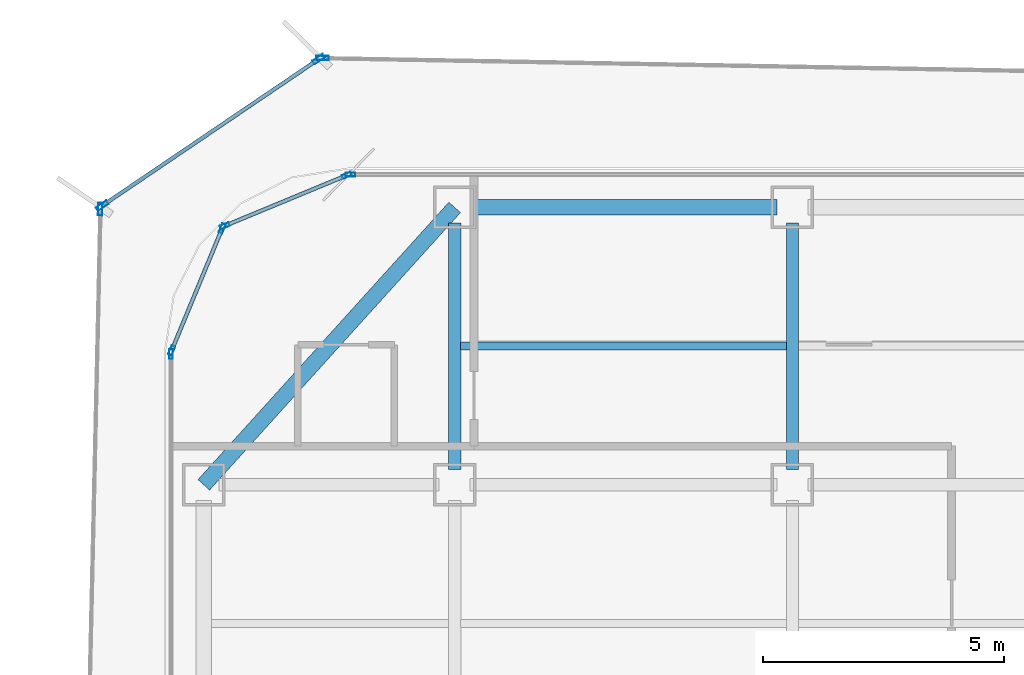
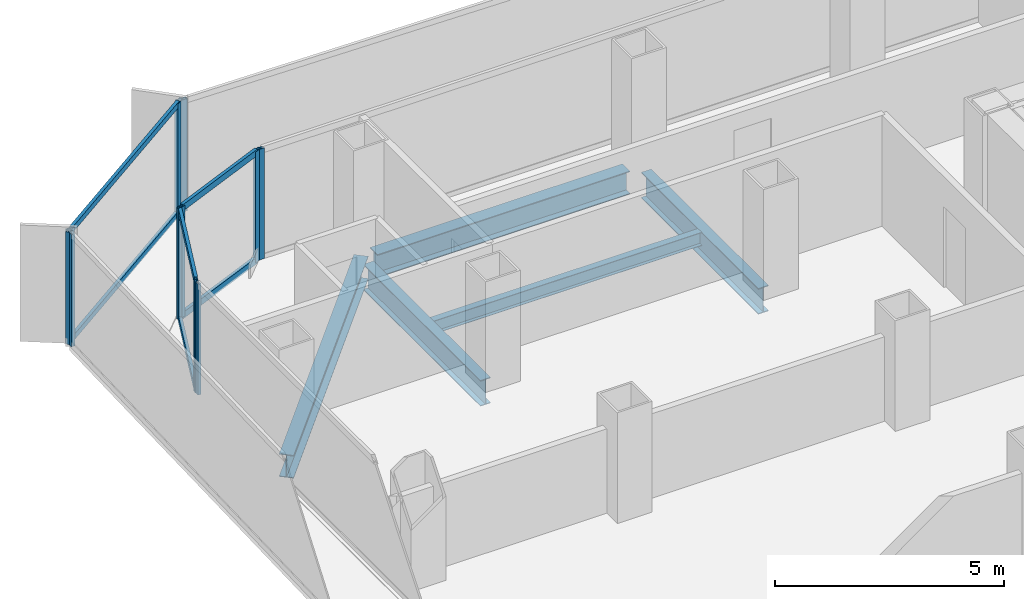
# One storey, part 10 of 21: 16 members, 5 beams, 7 elements without a shape of their own.
"""IFC4 building model written with IfcOpenShell, lengths in metres."""

from ifc_helpers import new_model, si_unit, direction, frame, origin, origin_2d, place, context, subcontext, project, spatial, hollow_rectangle, i_section, extrude, source, transform, mapped, material, layer, layer_set, material_profile, profile_set, type_object, element, aggregate, save


model = new_model("IFC4")

# Units and contexts
model_context = context("Model", 3, precision=1e-05, world=origin(), true_north=direction((0.0, 1.0)))
body_context = subcontext(model_context, "Body", "Model", "MODEL_VIEW")
ifc_project = project(units=[si_unit("LENGTHUNIT", "METRE"), si_unit("AREAUNIT", "SQUARE_METRE"), si_unit("VOLUMEUNIT", "CUBIC_METRE"), si_unit("PLANEANGLEUNIT", "RADIAN"), si_unit("MASSUNIT", "GRAM", prefix="KILO")], contexts=[model_context])

# Site, building, storey
site_placement = place(None, origin())
site = spatial("IfcSite", under=ifc_project, at=site_placement, CompositionType="ELEMENT")
building_placement = place(site_placement, origin())
building = spatial("IfcBuilding", under=site, at=building_placement, Name="Kolveth Station Tower", CompositionType="ELEMENT")
storey_placement = place(building_placement, frame((0.0, 0.0, 105.5)))
storey = spatial("IfcBuildingStorey", under=building, at=storey_placement, Name="L28", CompositionType="ELEMENT", Elevation=105.5)

# Beams
ifc_material_1 = material(Name="Steel S355", Category="steel")
ifc_material_profile_1 = material_profile(ifc_material_1, i_section(OverallWidth=0.323974609375, OverallDepth=0.611083984375, WebThickness=0.0126953125, FlangeThickness=0.01904296875, at=origin_2d()), Name="W610x155")
ifc_profile_set_1 = profile_set([ifc_material_profile_1], Name="Steel S355")
beam_type_1 = type_object("IfcBeamType", Name="Beam_SP2", PredefinedType="SPANDREL", material=ifc_profile_set_1)
shared_shape_1 = source(origin(), body_context, "Body", "SweptSolid", [
    extrude(i_section(OverallWidth=0.323974609375, OverallDepth=0.611083984375, WebThickness=0.0126953125, FlangeThickness=0.01904296875, at=origin_2d()), origin(), (0.0, 0.0, 1.0), 6.35986328125),
])
beam_1_placement = place(storey_placement, frame((6.320068359375, 34.5, -0.555419921875), z_axis=(1.0, 0.0, 0.0), x_axis=(0.0, 1.0, 0.0)))
element("IfcBeam", 1, at=beam_1_placement, inside=storey, type_object=beam_type_1, Name="L28 Perimeter Spandrel BM-L28-PN-1", PredefinedType="SPANDREL", context=body_context, shape_type="MappedRepresentation", body=[
    mapped(shared_shape_1, transform((0.0, 0.0, 0.0), x_axis=(1.0, 0.0, 0.0), y_axis=(0.0, 1.0, 0.0), z_axis=(0.0, 0.0, 1.0), scale=1.0)),
])
shared_shape_2 = source(origin(), body_context, "Body", "SweptSolid", [
    extrude(i_section(OverallWidth=0.323974609375, OverallDepth=0.611083984375, WebThickness=0.0126953125, FlangeThickness=0.01904296875, at=origin_2d()), origin(), (0.0, 0.0, 1.0), 7.75244140625),
])
beam_2_placement = place(storey_placement, frame((6.0, 34.5, -0.555419921875), z_axis=(-0.670740965555, -0.74169168603, 0.0), x_axis=(0.74169168603, -0.670740965555, 0.0)))
element("IfcBeam", 2, at=beam_2_placement, inside=storey, type_object=beam_type_1, Name="L28 Corner Edge Girder BM-L28-CNR-NW", PredefinedType="SPANDREL", context=body_context, shape_type="MappedRepresentation", body=[
    mapped(shared_shape_2, transform((0.0, 0.0, 0.0), x_axis=(1.0, 0.0, 0.0), y_axis=(0.0, 1.0, 0.0), z_axis=(0.0, 0.0, 1.0), scale=1.0)),
])
ifc_material_profile_2 = material_profile(ifc_material_1, i_section(OverallWidth=0.25390625, OverallDepth=0.68798828125, WebThickness=0.01318359375, FlangeThickness=0.02099609375, at=origin_2d()), Name="W690x152")
ifc_profile_set_2 = profile_set([ifc_material_profile_2], Name="Steel S355")
beam_type_2 = type_object("IfcBeamType", Name="Beam_B4", PredefinedType="BEAM", material=ifc_profile_set_2)
shared_shape_3 = source(origin(), body_context, "Body", "SweptSolid", [
    extrude(i_section(OverallWidth=0.25390625, OverallDepth=0.68798828125, WebThickness=0.01318359375, FlangeThickness=0.02099609375, at=origin_2d()), origin(), (0.0, 0.0, 1.0), 5.10986328125),
])
for number, where, z_axis, x_axis, name in (
    (3, (6.0, 29.070068359375, -0.593994140625), (0.0, 1.0, 0.0), (-1.0, 0.0, 0.0), "L28 Primary Girder BM-L28-GX60-6"),
    (4, (13.0, 29.070068359375, -0.593994140625), (0.0, 1.0, 0.0), (-1.0, 0.0, 0.0), "L28 Primary Girder BM-L28-GX130-6"),
):
    element("IfcBeam", number, at=place(storey_placement, frame(where, z_axis=z_axis, x_axis=x_axis)), inside=storey, type_object=beam_type_2, Name=name, PredefinedType="BEAM", context=body_context, shape_type="MappedRepresentation", body=[
        mapped(shared_shape_3, transform((0.0, 0.0, 0.0), x_axis=(1.0, 0.0, 0.0), y_axis=(0.0, 1.0, 0.0), z_axis=(0.0, 0.0, 1.0), scale=1.0)),
    ])
ifc_material_profile_3 = material_profile(ifc_material_1, i_section(OverallWidth=0.1708984375, OverallDepth=0.35205078125, WebThickness=0.0068359375, FlangeThickness=0.009765625, at=origin_2d()), Name="W360x44")
ifc_profile_set_3 = profile_set([ifc_material_profile_3], Name="Steel S355")
beam_type_3 = type_object("IfcBeamType", Name="Beam_J2", PredefinedType="JOIST", material=ifc_profile_set_3)
shared_shape_4 = source(origin(), body_context, "Body", "SweptSolid", [
    extrude(i_section(OverallWidth=0.1708984375, OverallDepth=0.35205078125, WebThickness=0.0068359375, FlangeThickness=0.009765625, at=origin_2d()), origin(), (0.0, 0.0, 1.0), 6.75),
])
beam_3_placement = place(storey_placement, frame((6.125, 31.625, -0.426025390625), z_axis=(1.0, 0.0, 0.0), x_axis=(0.0, 1.0, 0.0)))
element("IfcBeam", 5, at=beam_3_placement, inside=storey, type_object=beam_type_3, Name="L28 Secondary Joist JST-L28-2-6", PredefinedType="JOIST", context=body_context, shape_type="MappedRepresentation", body=[
    mapped(shared_shape_4, transform((0.0, 0.0, 0.0), x_axis=(1.0, 0.0, 0.0), y_axis=(0.0, 1.0, 0.0), z_axis=(0.0, 0.0, 1.0), scale=1.0)),
])

# Curtain wall, member
ifc_material_2 = material(Name="Aluminium 6063-T6 and low-E dark glass", Category="aluminium")
ifc_layer_1 = layer(ifc_material_2, 0.18994140625)
ifc_layer_set_1 = layer_set([ifc_layer_1], Name="Aluminium 6063-T6 and low-E dark glass")
curtain_wall_type_1 = type_object("IfcCurtainWallType", Name="CurtainWall_CW-Z2", PredefinedType="NOTDEFINED", material=ifc_layer_set_1)
curtain_wall_1_placement = place(storey_placement, origin())
curtain_wall_1 = element("IfcCurtainWall", 6, at=curtain_wall_1_placement, inside=storey, type_object=curtain_wall_type_1, Name="L28 Inner Thermal Curtain Wall 6", PredefinedType="NOTDEFINED")
ifc_material_3 = material(Name="Black anodized aluminium 6063-T6", Category="aluminium")
ifc_material_profile_4 = material_profile(ifc_material_3, hollow_rectangle(XDim=0.080078125, YDim=0.199951171875, WallThickness=0.0048828125, at=origin_2d()), Name="ALU-80x200x5")
ifc_profile_set_4 = profile_set([ifc_material_profile_4], Name="Black anodized aluminium 6063-T6")
member_type_1 = type_object("IfcMemberType", Name="Mullion_ML2", PredefinedType="MULLION", material=ifc_profile_set_4)
shared_shape_5 = source(origin(), body_context, "Body", "SweptSolid", [
    extrude(hollow_rectangle(XDim=0.080078125, YDim=0.199951171875, WallThickness=0.0048828125, at=origin_2d()), origin(), (0.0, 0.0, 1.0), 2.949951171875),
])
member_1_placement = place(storey_placement, frame((3.840087890625, 35.179931640625, 0.0), z_axis=(0.0, 0.0, 1.0), x_axis=(0.0, -1.0, 0.0)))
member_1 = element("IfcMember", 7, at=member_1_placement, type_object=member_type_1, Name="CW-Z2 mullion 3", PredefinedType="MULLION", context=body_context, shape_type="MappedRepresentation", body=[
    mapped(shared_shape_5, transform((0.0, 0.0, 0.0), x_axis=(1.0, 0.0, 0.0), y_axis=(0.0, 1.0, 0.0), z_axis=(0.0, 0.0, 1.0), scale=1.0)),
])
aggregate(curtain_wall_1, [member_1])

# Curtain wall, members
curtain_wall_2_placement = place(storey_placement, origin())
curtain_wall_2 = element("IfcCurtainWall", 8, at=curtain_wall_2_placement, inside=storey, type_object=curtain_wall_type_1, Name="L28 Inner Thermal Curtain Wall 7", PredefinedType="NOTDEFINED")
member_2_placement = place(storey_placement, frame((3.762939453125, 35.164794921875, 0.0), z_axis=(0.0, 0.0, 1.0), x_axis=(0.38266326998, -0.923887883787, 0.0)))
member_2 = element("IfcMember", 9, at=member_2_placement, type_object=member_type_1, Name="CW-Z2 mullion 1", PredefinedType="MULLION", context=body_context, shape_type="MappedRepresentation", body=[
    mapped(shared_shape_5, transform((0.0, 0.0, 0.0), x_axis=(1.0, 0.0, 0.0), y_axis=(0.0, 1.0, 0.0), z_axis=(0.0, 0.0, 1.0), scale=1.0)),
])
member_3_placement = place(storey_placement, frame((1.23486328125, 34.117431640625, 0.0), z_axis=(0.0, 0.0, 1.0), x_axis=(0.38266326998, -0.923887883787, 0.0)))
member_3 = element("IfcMember", 10, at=member_3_placement, type_object=member_type_1, Name="CW-Z2 mullion 2", PredefinedType="MULLION", context=body_context, shape_type="MappedRepresentation", body=[
    mapped(shared_shape_5, transform((0.0, 0.0, 0.0), x_axis=(1.0, 0.0, 0.0), y_axis=(0.0, 1.0, 0.0), z_axis=(0.0, 0.0, 1.0), scale=1.0)),
])

curtain_wall_3_placement = place(storey_placement, origin())
curtain_wall_3 = element("IfcCurtainWall", 11, at=curtain_wall_3_placement, inside=storey, type_object=curtain_wall_type_1, Name="L28 Inner Thermal Curtain Wall 8", PredefinedType="NOTDEFINED")
member_4_placement = place(storey_placement, frame((1.182373046875, 34.065185546875, 0.0), z_axis=(0.0, 0.0, 1.0), x_axis=(0.923887883787, -0.38266326998, 0.0)))
member_4 = element("IfcMember", 12, at=member_4_placement, type_object=member_type_1, Name="CW-Z2 mullion 1", PredefinedType="MULLION", context=body_context, shape_type="MappedRepresentation", body=[
    mapped(shared_shape_5, transform((0.0, 0.0, 0.0), x_axis=(1.0, 0.0, 0.0), y_axis=(0.0, 1.0, 0.0), z_axis=(0.0, 0.0, 1.0), scale=1.0)),
])
member_5_placement = place(storey_placement, frame((0.13525390625, 31.536865234375, 0.0), z_axis=(0.0, 0.0, 1.0), x_axis=(0.923887883787, -0.38266326998, 0.0)))
member_5 = element("IfcMember", 13, at=member_5_placement, type_object=member_type_1, Name="CW-Z2 mullion 2", PredefinedType="MULLION", context=body_context, shape_type="MappedRepresentation", body=[
    mapped(shared_shape_5, transform((0.0, 0.0, 0.0), x_axis=(1.0, 0.0, 0.0), y_axis=(0.0, 1.0, 0.0), z_axis=(0.0, 0.0, 1.0), scale=1.0)),
])

# Curtain wall, member
curtain_wall_4_placement = place(storey_placement, origin())
curtain_wall_4 = element("IfcCurtainWall", 14, at=curtain_wall_4_placement, inside=storey, type_object=curtain_wall_type_1, Name="L28 Inner Thermal Curtain Wall 9", PredefinedType="NOTDEFINED")
member_6_placement = place(storey_placement, frame((0.1201171875, 31.4599609375, 0.0), z_axis=(0.0, 0.0, 1.0), x_axis=(1.0, 0.0, 0.0)))
member_6 = element("IfcMember", 15, at=member_6_placement, type_object=member_type_1, Name="CW-Z2 mullion 1", PredefinedType="MULLION", context=body_context, shape_type="MappedRepresentation", body=[
    mapped(shared_shape_5, transform((0.0, 0.0, 0.0), x_axis=(1.0, 0.0, 0.0), y_axis=(0.0, 1.0, 0.0), z_axis=(0.0, 0.0, 1.0), scale=1.0)),
])
aggregate(curtain_wall_4, [member_6])

# Member
ifc_material_profile_5 = material_profile(ifc_material_3, hollow_rectangle(XDim=0.080078125, YDim=0.169921875, WallThickness=0.0048828125, at=origin_2d()), Name="ALU-80x170x5")
ifc_profile_set_5 = profile_set([ifc_material_profile_5], Name="Black anodized aluminium 6063-T6")
member_type_2 = type_object("IfcMemberType", Name="Transom_TR2", PredefinedType="USERDEFINED", material=ifc_profile_set_5)
shared_shape_6 = source(origin(), body_context, "Body", "SweptSolid", [
    extrude(hollow_rectangle(XDim=0.080078125, YDim=0.169921875, WallThickness=0.0048828125, at=origin_2d()), origin(), (0.0, 0.0, 1.0), 2.656494140625),
])
member_7_placement = place(storey_placement, frame((3.72607421875, 35.1494140625, 0.0400390625), z_axis=(-0.923882422403, -0.382676455475, 0.0), x_axis=(0.382676455475, -0.923882422403, 0.0)))
member_7 = element("IfcMember", 16, at=member_7_placement, type_object=member_type_2, Name="CW-Z2 transom 1.1", ObjectType="TRANSOM", PredefinedType="USERDEFINED", context=body_context, shape_type="MappedRepresentation", body=[
    mapped(shared_shape_6, transform((0.0, 0.0, 0.0), x_axis=(1.0, 0.0, 0.0), y_axis=(0.0, 1.0, 0.0), z_axis=(0.0, 0.0, 1.0), scale=1.0)),
])

member_8_placement = place(storey_placement, frame((3.72607421875, 35.1494140625, 2.909912109375), z_axis=(-0.923882422403, -0.382676455475, 0.0), x_axis=(0.382676455475, -0.923882422403, 0.0)))
member_8 = element("IfcMember", 17, at=member_8_placement, type_object=member_type_2, Name="CW-Z2 transom 1.2", ObjectType="TRANSOM", PredefinedType="USERDEFINED", context=body_context, shape_type="MappedRepresentation", body=[
    mapped(shared_shape_6, transform((0.0, 0.0, 0.0), x_axis=(1.0, 0.0, 0.0), y_axis=(0.0, 1.0, 0.0), z_axis=(0.0, 0.0, 1.0), scale=1.0)),
])

aggregate(curtain_wall_2, [member_2, member_3, member_7, member_8])

member_9_placement = place(storey_placement, frame((1.167236328125, 34.0283203125, 0.0400390625), z_axis=(-0.382676455475, -0.923882422403, 0.0), x_axis=(0.923882422403, -0.382676455475, 0.0)))
member_9 = element("IfcMember", 18, at=member_9_placement, type_object=member_type_2, Name="CW-Z2 transom 1.1", ObjectType="TRANSOM", PredefinedType="USERDEFINED", context=body_context, shape_type="MappedRepresentation", body=[
    mapped(shared_shape_6, transform((0.0, 0.0, 0.0), x_axis=(1.0, 0.0, 0.0), y_axis=(0.0, 1.0, 0.0), z_axis=(0.0, 0.0, 1.0), scale=1.0)),
])

member_10_placement = place(storey_placement, frame((1.167236328125, 34.0283203125, 2.909912109375), z_axis=(-0.382676455475, -0.923882422403, 0.0), x_axis=(0.923882422403, -0.382676455475, 0.0)))
member_10 = element("IfcMember", 19, at=member_10_placement, type_object=member_type_2, Name="CW-Z2 transom 1.2", ObjectType="TRANSOM", PredefinedType="USERDEFINED", context=body_context, shape_type="MappedRepresentation", body=[
    mapped(shared_shape_6, transform((0.0, 0.0, 0.0), x_axis=(1.0, 0.0, 0.0), y_axis=(0.0, 1.0, 0.0), z_axis=(0.0, 0.0, 1.0), scale=1.0)),
])

aggregate(curtain_wall_3, [member_4, member_5, member_9, member_10])

# Curtain wall, member
ifc_material_4 = material(Name="Black anodized aluminium 6063-T6 and dark solar glass", Category="aluminium")
ifc_layer_2 = layer(ifc_material_4, 0.159912109375)
ifc_layer_set_2 = layer_set([ifc_layer_2], Name="Black anodized aluminium 6063-T6 and dark solar glass")
curtain_wall_type_2 = type_object("IfcCurtainWallType", Name="OUTER SKIN CW-OS", PredefinedType="NOTDEFINED", material=ifc_layer_set_2)
curtain_wall_5_placement = place(storey_placement, origin())
curtain_wall_5 = element("IfcCurtainWall", 20, at=curtain_wall_5_placement, inside=storey, type_object=curtain_wall_type_2, Name="L28 Outer Ventilated Skin Curtain Wall 4", PredefinedType="NOTDEFINED")
ifc_material_profile_6 = material_profile(ifc_material_3, hollow_rectangle(XDim=0.090087890625, YDim=0.260009765625, WallThickness=0.0048828125, at=origin_2d()), Name="ALU-90x260x5")
ifc_profile_set_6 = profile_set([ifc_material_profile_6], Name="Black anodized aluminium 6063-T6")
member_type_3 = type_object("IfcMemberType", Name="FIN MULLION ML-OS", PredefinedType="MULLION", material=ifc_profile_set_6)
shared_shape_7 = source(origin(), body_context, "Body", "SweptSolid", [
    extrude(hollow_rectangle(XDim=0.090087890625, YDim=0.260009765625, WallThickness=0.0048828125, at=origin_2d()), origin(), (0.0, 0.0, 1.0), 2.989990234375),
])
member_11_placement = place(storey_placement, frame((3.26318359375, 37.597412109375, 0.0), z_axis=(0.0, 0.0, 1.0), x_axis=(-0.017990578845, -0.99983815644, 0.0)))
member_11 = element("IfcMember", 21, at=member_11_placement, type_object=member_type_3, Name="CW-OS mullion 2", PredefinedType="MULLION", context=body_context, shape_type="MappedRepresentation", body=[
    mapped(shared_shape_7, transform((0.0, 0.0, 0.0), x_axis=(1.0, 0.0, 0.0), y_axis=(0.0, 1.0, 0.0), z_axis=(0.0, 0.0, 1.0), scale=1.0)),
])
aggregate(curtain_wall_5, [member_11])

# Curtain wall, members
curtain_wall_6_placement = place(storey_placement, origin())
curtain_wall_6 = element("IfcCurtainWall", 22, at=curtain_wall_6_placement, inside=storey, type_object=curtain_wall_type_2, Name="L28 Outer Ventilated Skin Curtain Wall 5", PredefinedType="NOTDEFINED")
member_12_placement = place(storey_placement, frame((3.180908203125, 37.572998046875, 0.0), z_axis=(0.0, 0.0, 1.0), x_axis=(0.560690457059, -0.828025489561, 0.0)))
member_12 = element("IfcMember", 23, at=member_12_placement, type_object=member_type_3, Name="CW-OS mullion 1", PredefinedType="MULLION", context=body_context, shape_type="MappedRepresentation", body=[
    mapped(shared_shape_7, transform((0.0, 0.0, 0.0), x_axis=(1.0, 0.0, 0.0), y_axis=(0.0, 1.0, 0.0), z_axis=(0.0, 0.0, 1.0), scale=1.0)),
])
member_13_placement = place(storey_placement, frame((-1.307861328125, 34.533447265625, 0.0), z_axis=(0.0, 0.0, 1.0), x_axis=(0.560690457059, -0.828025489561, 0.0)))
member_13 = element("IfcMember", 24, at=member_13_placement, type_object=member_type_3, Name="CW-OS mullion 2", PredefinedType="MULLION", context=body_context, shape_type="MappedRepresentation", body=[
    mapped(shared_shape_7, transform((0.0, 0.0, 0.0), x_axis=(1.0, 0.0, 0.0), y_axis=(0.0, 1.0, 0.0), z_axis=(0.0, 0.0, 1.0), scale=1.0)),
])

# Curtain wall, member
curtain_wall_7_placement = place(storey_placement, origin())
curtain_wall_7 = element("IfcCurtainWall", 25, at=curtain_wall_7_placement, inside=storey, type_object=curtain_wall_type_2, Name="L28 Outer Ventilated Skin Curtain Wall 6", PredefinedType="NOTDEFINED")
member_14_placement = place(storey_placement, frame((-1.34619140625, 34.463134765625, 0.0), z_axis=(0.0, 0.0, 1.0), x_axis=(0.99974471422, -0.022594388462, 0.0)))
member_14 = element("IfcMember", 26, at=member_14_placement, type_object=member_type_3, Name="CW-OS mullion 1", PredefinedType="MULLION", context=body_context, shape_type="MappedRepresentation", body=[
    mapped(shared_shape_7, transform((0.0, 0.0, 0.0), x_axis=(1.0, 0.0, 0.0), y_axis=(0.0, 1.0, 0.0), z_axis=(0.0, 0.0, 1.0), scale=1.0)),
])
aggregate(curtain_wall_7, [member_14])

# Member
ifc_material_profile_7 = material_profile(ifc_material_3, hollow_rectangle(XDim=0.080078125, YDim=0.14990234375, WallThickness=0.0048828125, at=origin_2d()), Name="ALU-80x150x5")
ifc_profile_set_7 = profile_set([ifc_material_profile_7], Name="Black anodized aluminium 6063-T6")
member_type_4 = type_object("IfcMemberType", Name="Transom_TR-OS", PredefinedType="USERDEFINED", material=ifc_profile_set_7)
shared_shape_8 = source(origin(), body_context, "Body", "SweptSolid", [
    extrude(hollow_rectangle(XDim=0.080078125, YDim=0.14990234375, WallThickness=0.0048828125, at=origin_2d()), origin(), (0.0, 0.0, 1.0), 5.331298828125),
])
member_15_placement = place(storey_placement, frame((3.143798828125, 37.5478515625, 0.0400390625), z_axis=(-0.828012652577, -0.5607094142, 0.0), x_axis=(0.5607094142, -0.828012652577, 0.0)))
member_15 = element("IfcMember", 27, at=member_15_placement, type_object=member_type_4, Name="CW-OS transom 1.1", ObjectType="TRANSOM", PredefinedType="USERDEFINED", context=body_context, shape_type="MappedRepresentation", body=[
    mapped(shared_shape_8, transform((0.0, 0.0, 0.0), x_axis=(1.0, 0.0, 0.0), y_axis=(0.0, 1.0, 0.0), z_axis=(0.0, 0.0, 1.0), scale=1.0)),
])

member_16_placement = place(storey_placement, frame((3.143798828125, 37.5478515625, 2.949951171875), z_axis=(-0.828012652577, -0.5607094142, 0.0), x_axis=(0.5607094142, -0.828012652577, 0.0)))
member_16 = element("IfcMember", 28, at=member_16_placement, type_object=member_type_4, Name="CW-OS transom 1.2", ObjectType="TRANSOM", PredefinedType="USERDEFINED", context=body_context, shape_type="MappedRepresentation", body=[
    mapped(shared_shape_8, transform((0.0, 0.0, 0.0), x_axis=(1.0, 0.0, 0.0), y_axis=(0.0, 1.0, 0.0), z_axis=(0.0, 0.0, 1.0), scale=1.0)),
])

aggregate(curtain_wall_6, [member_12, member_13, member_15, member_16])

save(model, "model.ifc")
